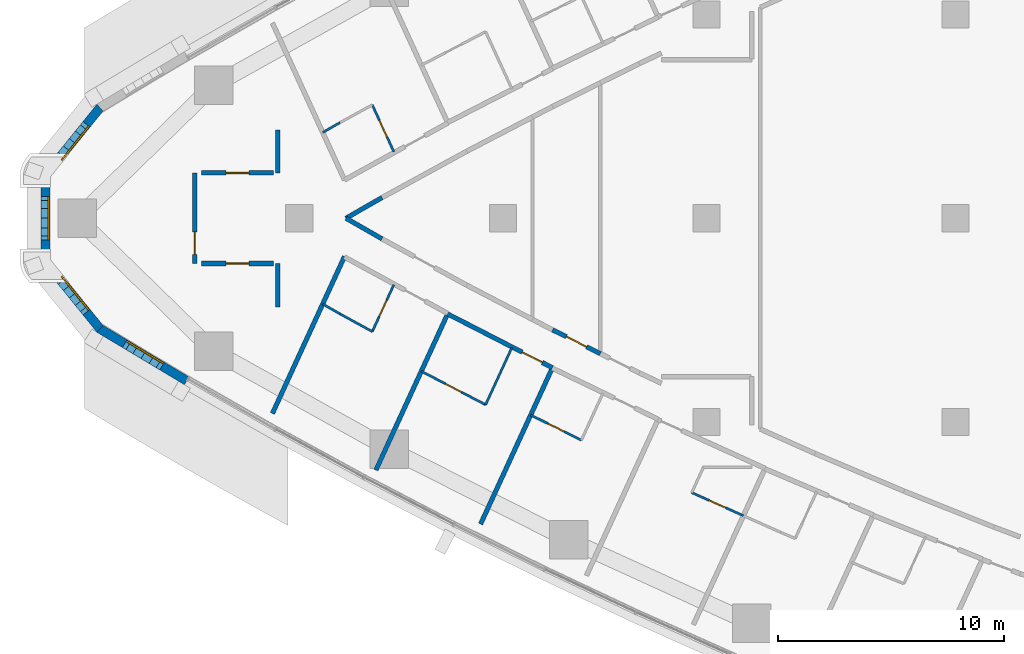
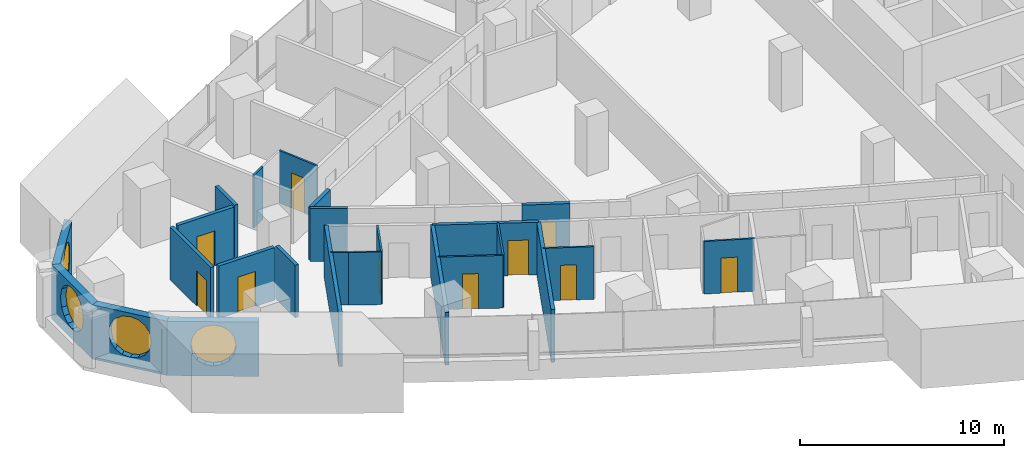
# One storey, part 8 of 17: 25 walls, 10 doors, 4 windows, 14 openings.
"""IFC4 building model written with IfcOpenShell, lengths in metres."""

from ifc_helpers import new_model, si_unit, direction, frame, frame_2d, origin, place, context, subcontext, project, spatial, polyline, rectangle, outline, extrude, material, layer, layer_set, type_object, element, fill, save


model = new_model("IFC4")

# Units and contexts
model_context = context("Model", 3, precision=1e-05, world=origin(), true_north=direction((0.0, 1.0)))
body_context = subcontext(model_context, "Body", "Model", "MODEL_VIEW")
ifc_project = project(units=[si_unit("LENGTHUNIT", "METRE"), si_unit("AREAUNIT", "SQUARE_METRE"), si_unit("VOLUMEUNIT", "CUBIC_METRE"), si_unit("PLANEANGLEUNIT", "RADIAN"), si_unit("MASSUNIT", "GRAM", prefix="KILO")], contexts=[model_context])

# Site, building, storey
site_placement = place(None, origin())
site = spatial("IfcSite", under=ifc_project, at=site_placement, CompositionType="ELEMENT")
building_placement = place(site_placement, origin())
building = spatial("IfcBuilding", under=site, at=building_placement, Name="Ostrand Prow Hotel Tower", CompositionType="ELEMENT")
storey_placement = place(building_placement, frame((0.0, 0.0, 116.85009765625)))
storey = spatial("IfcBuildingStorey", under=building, at=storey_placement, Name="L28", CompositionType="ELEMENT", Elevation=116.85009765625)

# Wall
ifc_material_1 = material(Name="Plasterboard partition")
ifc_layer_1 = layer(ifc_material_1, 0.10009765625)
ifc_layer_set_1 = layer_set([ifc_layer_1], Name="Plasterboard partition")
wall_type_1 = type_object("IfcWallType", Name="Partition 100 bathroom wall", PredefinedType="PARTITIONING", material=ifc_layer_set_1)
wall_1_placement = place(storey_placement, frame((17.0361328125, 3.7900390625, 0.0), z_axis=(0.0, 0.0, 1.0), x_axis=(0.867629162742, 0.497211862248, 0.0)))
element("IfcWall", 1, at=wall_1_placement, inside=storey, type_object=wall_type_1, Name="BATHROOM WALL", PredefinedType="PARTITIONING", context=body_context, shape_type="SweptSolid", body=[
    extrude(rectangle(XDim=0.8818359375, YDim=0.10009765625, at=frame_2d((0.44091796875, 0.0))), origin(), (0.0, 0.0, 1.0), 3.14990234375),
])

# Wall, opening, door
wall_2_placement = place(storey_placement, frame((19.2275390625, 5.00830078125, 0.0), z_axis=(0.0, 0.0, 1.0), x_axis=(0.417450047292, -0.908699872354, 0.0)))
wall_2 = element("IfcWall", 2, at=wall_2_placement, inside=storey, type_object=wall_type_1, Name="BATHROOM WALL", PredefinedType="PARTITIONING", context=body_context, shape_type="SweptSolid", body=[
    extrude(rectangle(XDim=2.28271484375, YDim=0.10009765625, at=frame_2d((1.141357421875, 0.0))), origin(), (0.0, 0.0, 1.0), 3.14990234375),
])
opening_1_placement = place(wall_2_placement, frame((0.75, 0.0, 0.0)))
opening_1 = element("IfcOpeningElement", 3, at=opening_1_placement, cuts=wall_2, Name="Opening D2", PredefinedType="OPENING", context=body_context, shape_type="SweptSolid", body=[
    extrude(rectangle(XDim=0.800048828125, YDim=2.10009765625, at=frame_2d((0.39990234375, 1.050048828125))), frame((0.0, 0.06005859375, 0.0), z_axis=(0.0, -1.0, 0.0), x_axis=(1.0, 0.0, 0.0)), (0.0, 0.0, 1.0), 0.1201171875),
])
ifc_material_2 = material(Name="Timber door leaf", Category="wood")
door_type_1 = type_object("IfcDoorType", Name="Bathroom door 800", OperationType="SINGLE_SWING_LEFT", PredefinedType="DOOR", material=ifc_material_2)
door_1_placement = place(opening_1_placement, origin())
door_1 = element("IfcDoor", 4, at=door_1_placement, inside=storey, type_object=door_type_1, Name="DOOR", OperationType="SINGLE_SWING_LEFT", OverallHeight=2.10009765625, OverallWidth=0.800048828125, PredefinedType="DOOR", context=body_context, shape_type="SweptSolid", body=[
    extrude(rectangle(XDim=0.800048828125, YDim=2.10009765625, at=frame_2d((0.39990234375, 1.050048828125))), frame((0.0, 0.02490234375, 0.0), z_axis=(0.0, -1.0, 0.0), x_axis=(1.0, 0.0, 0.0)), (0.0, 0.0, 1.0), 0.050048828125),
])
fill(opening_1, door_1)

wall_3_placement = place(storey_placement, frame((20.180419921875, -2.93408203125, 0.0), z_axis=(0.0, 0.0, 1.0), x_axis=(-0.417450047292, -0.908699872354, 0.0)))
wall_3 = element("IfcWall", 5, at=wall_3_placement, inside=storey, type_object=wall_type_1, Name="BATHROOM WALL", PredefinedType="PARTITIONING", context=body_context, shape_type="SweptSolid", body=[
    extrude(rectangle(XDim=2.28271484375, YDim=0.10009765625, at=frame_2d((1.141357421875, 0.0))), origin(), (0.0, 0.0, 1.0), 3.14990234375),
])
opening_2_placement = place(wall_3_placement, frame((0.75, 0.0, 0.0)))
opening_2 = element("IfcOpeningElement", 6, at=opening_2_placement, cuts=wall_3, Name="Opening D2", PredefinedType="OPENING", context=body_context, shape_type="SweptSolid", body=[
    extrude(rectangle(XDim=0.800048828125, YDim=2.10009765625, at=frame_2d((0.39990234375, 1.050048828125))), frame((0.0, 0.06005859375, 0.0), z_axis=(0.0, -1.0, 0.0), x_axis=(1.0, 0.0, 0.0)), (0.0, 0.0, 1.0), 0.1201171875),
])
door_2_placement = place(opening_2_placement, origin())
door_2 = element("IfcDoor", 7, at=door_2_placement, inside=storey, type_object=door_type_1, Name="DOOR", OperationType="SINGLE_SWING_LEFT", OverallHeight=2.10009765625, OverallWidth=0.800048828125, PredefinedType="DOOR", context=body_context, shape_type="SweptSolid", body=[
    extrude(rectangle(XDim=0.800048828125, YDim=2.10009765625, at=frame_2d((0.39990234375, 1.050048828125))), frame((0.0, 0.02490234375, 0.0), z_axis=(0.0, -1.0, 0.0), x_axis=(1.0, 0.0, 0.0)), (0.0, 0.0, 1.0), 0.050048828125),
])
fill(opening_2, door_2)

# Walls
wall_4_placement = place(storey_placement, frame((19.2275390625, -5.00830078125, 0.0), z_axis=(0.0, 0.0, 1.0), x_axis=(-0.877424481957, 0.479714788663, 0.0)))
element("IfcWall", 8, at=wall_4_placement, inside=storey, type_object=wall_type_1, Name="BATHROOM WALL", PredefinedType="PARTITIONING", context=body_context, shape_type="SweptSolid", body=[
    extrude(rectangle(XDim=1.62548828125, YDim=0.10009765625, at=frame_2d((0.812744140625, 0.0))), origin(), (0.0, 0.0, 1.0), 3.14990234375),
])
wall_5_placement = place(storey_placement, frame((17.80126953125, -4.228515625, 0.0), z_axis=(0.0, 0.0, 1.0), x_axis=(-0.867629162742, 0.497211862248, 0.0)))
element("IfcWall", 9, at=wall_5_placement, inside=storey, type_object=wall_type_1, Name="BATHROOM WALL", PredefinedType="PARTITIONING", context=body_context, shape_type="SweptSolid", body=[
    extrude(rectangle(XDim=0.8818359375, YDim=0.10009765625, at=frame_2d((0.44091796875, 0.0))), origin(), (0.0, 0.0, 1.0), 3.14990234375),
])
wall_6_placement = place(storey_placement, frame((25.3955078125, -5.715087890625, 0.0), z_axis=(0.0, 0.0, 1.0), x_axis=(-0.417359077977, -0.908741657475, 0.0)))
element("IfcWall", 10, at=wall_6_placement, inside=storey, type_object=wall_type_1, Name="BATHROOM WALL", PredefinedType="PARTITIONING", context=body_context, shape_type="SweptSolid", body=[
    extrude(rectangle(XDim=2.7802734375, YDim=0.10009765625, at=frame_2d((1.39013671875, 0.0))), origin(), (0.0, 0.0, 1.0), 3.14990234375),
])

# Wall, opening, door
wall_7_placement = place(storey_placement, frame((24.23486328125, -8.24169921875, 0.0), z_axis=(0.0, 0.0, 1.0), x_axis=(-0.886897171809, 0.461966889114, 0.0)))
wall_7 = element("IfcWall", 11, at=wall_7_placement, inside=storey, type_object=wall_type_1, Name="BATHROOM WALL", PredefinedType="PARTITIONING", context=body_context, shape_type="SweptSolid", body=[
    extrude(rectangle(XDim=3.20361328125, YDim=0.10009765625, at=frame_2d((1.601806640625, 0.0))), origin(), (0.0, 0.0, 1.0), 3.14990234375),
])
opening_3_placement = place(wall_7_placement, frame((1.199951171875, 0.0, 0.0)))
opening_3 = element("IfcOpeningElement", 12, at=opening_3_placement, cuts=wall_7, Name="Opening D2", PredefinedType="OPENING", context=body_context, shape_type="SweptSolid", body=[
    extrude(rectangle(XDim=0.800048828125, YDim=2.10009765625, at=frame_2d((0.39990234375, 1.050048828125))), frame((0.0, 0.06005859375, 0.0), z_axis=(0.0, -1.0, 0.0), x_axis=(1.0, 0.0, 0.0)), (0.0, 0.0, 1.0), 0.1201171875),
])
door_3_placement = place(opening_3_placement, origin())
door_3 = element("IfcDoor", 13, at=door_3_placement, inside=storey, type_object=door_type_1, Name="DOOR", OperationType="SINGLE_SWING_LEFT", OverallHeight=2.10009765625, OverallWidth=0.800048828125, PredefinedType="DOOR", context=body_context, shape_type="SweptSolid", body=[
    extrude(rectangle(XDim=0.800048828125, YDim=2.10009765625, at=frame_2d((0.39990234375, 1.050048828125))), frame((0.0, 0.02490234375, 0.0), z_axis=(0.0, -1.0, 0.0), x_axis=(1.0, 0.0, 0.0)), (0.0, 0.0, 1.0), 0.050048828125),
])
fill(opening_3, door_3)

wall_8_placement = place(storey_placement, frame((28.4677734375, -9.807373046875, 0.0), z_axis=(0.0, 0.0, 1.0), x_axis=(-0.895944857815, 0.444165297784, 0.0)))
wall_8 = element("IfcWall", 14, at=wall_8_placement, inside=storey, type_object=wall_type_1, Name="BATHROOM WALL", PredefinedType="PARTITIONING", context=body_context, shape_type="SweptSolid", body=[
    extrude(rectangle(XDim=2.5009765625, YDim=0.10009765625, at=frame_2d((1.25048828125, 0.0))), origin(), (0.0, 0.0, 1.0), 3.14990234375),
])
opening_4_placement = place(wall_8_placement, frame((0.85009765625, 0.0, 0.0)))
opening_4 = element("IfcOpeningElement", 15, at=opening_4_placement, cuts=wall_8, Name="Opening D2", PredefinedType="OPENING", context=body_context, shape_type="SweptSolid", body=[
    extrude(rectangle(XDim=0.800048828125, YDim=2.10009765625, at=frame_2d((0.39990234375, 1.050048828125))), frame((0.0, 0.06005859375, 0.0), z_axis=(0.0, -1.0, 0.0), x_axis=(1.0, 0.0, 0.0)), (0.0, 0.0, 1.0), 0.1201171875),
])
door_4_placement = place(opening_4_placement, origin())
door_4 = element("IfcDoor", 16, at=door_4_placement, inside=storey, type_object=door_type_1, Name="DOOR", OperationType="SINGLE_SWING_LEFT", OverallHeight=2.10009765625, OverallWidth=0.800048828125, PredefinedType="DOOR", context=body_context, shape_type="SweptSolid", body=[
    extrude(rectangle(XDim=0.800048828125, YDim=2.10009765625, at=frame_2d((0.39990234375, 1.050048828125))), frame((0.0, 0.02490234375, 0.0), z_axis=(0.0, -1.0, 0.0), x_axis=(1.0, 0.0, 0.0)), (0.0, 0.0, 1.0), 0.050048828125),
])
fill(opening_4, door_4)

wall_9_placement = place(storey_placement, frame((35.6279296875, -13.1455078125, 0.0), z_axis=(0.0, 0.0, 1.0), x_axis=(-0.913052819539, 0.407841327885, 0.0)))
wall_9 = element("IfcWall", 17, at=wall_9_placement, inside=storey, type_object=wall_type_1, Name="BATHROOM WALL", PredefinedType="PARTITIONING", context=body_context, shape_type="SweptSolid", body=[
    extrude(rectangle(XDim=2.499755859375, YDim=0.10009765625, at=frame_2d((1.25, 0.0))), origin(), (0.0, 0.0, 1.0), 3.14990234375),
])
opening_5_placement = place(wall_9_placement, frame((0.85009765625, 0.0, 0.0)))
opening_5 = element("IfcOpeningElement", 18, at=opening_5_placement, cuts=wall_9, Name="Opening D2", PredefinedType="OPENING", context=body_context, shape_type="SweptSolid", body=[
    extrude(rectangle(XDim=0.800048828125, YDim=2.10009765625, at=frame_2d((0.39990234375, 1.050048828125))), frame((0.0, 0.06005859375, 0.0), z_axis=(0.0, -1.0, 0.0), x_axis=(1.0, 0.0, 0.0)), (0.0, 0.0, 1.0), 0.1201171875),
])
door_5_placement = place(opening_5_placement, origin())
door_5 = element("IfcDoor", 19, at=door_5_placement, inside=storey, type_object=door_type_1, Name="DOOR", OperationType="SINGLE_SWING_LEFT", OverallHeight=2.10009765625, OverallWidth=0.800048828125, PredefinedType="DOOR", context=body_context, shape_type="SweptSolid", body=[
    extrude(rectangle(XDim=0.800048828125, YDim=2.10009765625, at=frame_2d((0.39990234375, 1.050048828125))), frame((0.0, 0.02490234375, 0.0), z_axis=(0.0, -1.0, 0.0), x_axis=(1.0, 0.0, 0.0)), (0.0, 0.0, 1.0), 0.050048828125),
])
fill(opening_5, door_5)

ifc_material_3 = material(Name="Plasterboard partition")
ifc_layer_2 = layer(ifc_material_3, 0.199951171875)
ifc_layer_set_2 = layer_set([ifc_layer_2], Name="Plasterboard partition")
wall_type_2 = type_object("IfcWallType", Name="Partition 200 corridor wall", PredefinedType="PARTITIONING", material=ifc_layer_set_2)
wall_10_placement = place(storey_placement, frame((11.685302734375, 2.0, 0.0), z_axis=(0.0, 0.0, 1.0), x_axis=(1.0, 0.0, 0.0)))
wall_10 = element("IfcWall", 20, at=wall_10_placement, inside=storey, type_object=wall_type_2, Name="CORRIDOR WALL", PredefinedType="PARTITIONING", context=body_context, shape_type="SweptSolid", body=[
    extrude(rectangle(XDim=3.16845703125, YDim=0.199951171875, at=frame_2d((1.584228515625, 0.0))), origin(), (0.0, 0.0, 1.0), 3.14990234375),
])
opening_6_placement = place(wall_10_placement, frame((1.084228515625, 0.0, 0.0)))
opening_6 = element("IfcOpeningElement", 21, at=opening_6_placement, cuts=wall_10, Name="Opening D1", PredefinedType="OPENING", context=body_context, shape_type="SweptSolid", body=[
    extrude(rectangle(XDim=1.0, YDim=2.10009765625, at=frame_2d((0.5, 1.050048828125))), frame((0.0, 0.10986328125, 0.0), z_axis=(0.0, -1.0, 0.0), x_axis=(1.0, 0.0, 0.0)), (0.0, 0.0, 1.0), 0.219970703125),
])
ifc_material_4 = material(Name="Timber door leaf", Category="wood")
door_type_2 = type_object("IfcDoorType", Name="Guest room door 1000", OperationType="SINGLE_SWING_LEFT", PredefinedType="DOOR", material=ifc_material_4)
door_6_placement = place(opening_6_placement, origin())
door_6 = element("IfcDoor", 22, at=door_6_placement, inside=storey, type_object=door_type_2, Name="DOOR", OperationType="SINGLE_SWING_LEFT", OverallHeight=2.10009765625, OverallWidth=1.0, PredefinedType="DOOR", context=body_context, shape_type="SweptSolid", body=[
    extrude(rectangle(XDim=1.0, YDim=2.10009765625, at=frame_2d((0.5, 1.050048828125))), frame((0.0, 0.02490234375, 0.0), z_axis=(0.0, -1.0, 0.0), x_axis=(1.0, 0.0, 0.0)), (0.0, 0.0, 1.0), 0.050048828125),
])
fill(opening_6, door_6)

wall_11_placement = place(storey_placement, frame((11.685302734375, -2.0, 0.0), z_axis=(0.0, 0.0, 1.0), x_axis=(1.0, 0.0, 0.0)))
wall_11 = element("IfcWall", 23, at=wall_11_placement, inside=storey, type_object=wall_type_2, Name="CORRIDOR WALL", PredefinedType="PARTITIONING", context=body_context, shape_type="SweptSolid", body=[
    extrude(rectangle(XDim=3.16845703125, YDim=0.199951171875, at=frame_2d((1.584228515625, 0.0))), origin(), (0.0, 0.0, 1.0), 3.14990234375),
])
opening_7_placement = place(wall_11_placement, frame((1.084228515625, 0.0, 0.0)))
opening_7 = element("IfcOpeningElement", 24, at=opening_7_placement, cuts=wall_11, Name="Opening D1R", PredefinedType="OPENING", context=body_context, shape_type="SweptSolid", body=[
    extrude(rectangle(XDim=1.0, YDim=2.10009765625, at=frame_2d((0.5, 1.050048828125))), frame((0.0, 0.10986328125, 0.0), z_axis=(0.0, -1.0, 0.0), x_axis=(1.0, 0.0, 0.0)), (0.0, 0.0, 1.0), 0.219970703125),
])
ifc_material_5 = material(Name="Timber door leaf", Category="wood")
door_type_3 = type_object("IfcDoorType", Name="Guest room door 1000 right", OperationType="SINGLE_SWING_RIGHT", PredefinedType="DOOR", material=ifc_material_5)
door_7_placement = place(opening_7_placement, origin())
door_7 = element("IfcDoor", 25, at=door_7_placement, inside=storey, type_object=door_type_3, Name="DOOR", OperationType="SINGLE_SWING_RIGHT", OverallHeight=2.10009765625, OverallWidth=1.0, PredefinedType="DOOR", context=body_context, shape_type="SweptSolid", body=[
    extrude(rectangle(XDim=1.0, YDim=2.10009765625, at=frame_2d((0.5, 1.050048828125))), frame((0.0, 0.02490234375, 0.0), z_axis=(0.0, -1.0, 0.0), x_axis=(1.0, 0.0, 0.0)), (0.0, 0.0, 1.0), 0.050048828125),
])
fill(opening_7, door_7)

wall_12_placement = place(storey_placement, frame((22.556640625, -4.2294921875, 0.0), z_axis=(0.0, 0.0, 1.0), x_axis=(0.889706581948, -0.456532800617, 0.0)))
wall_12 = element("IfcWall", 26, at=wall_12_placement, inside=storey, type_object=wall_type_2, Name="CORRIDOR WALL", PredefinedType="PARTITIONING", context=body_context, shape_type="SweptSolid", body=[
    extrude(rectangle(XDim=5.204833984375, YDim=0.199951171875, at=frame_2d((2.6025390625, 0.0))), origin(), (0.0, 0.0, 1.0), 3.14990234375),
])
opening_8_placement = place(wall_12_placement, frame((3.699951171875, 0.0, 0.0)))
opening_8 = element("IfcOpeningElement", 27, at=opening_8_placement, cuts=wall_12, Name="Opening D1", PredefinedType="OPENING", context=body_context, shape_type="SweptSolid", body=[
    extrude(rectangle(XDim=1.0, YDim=2.10009765625, at=frame_2d((0.5, 1.050048828125))), frame((0.0, 0.10986328125, 0.0), z_axis=(0.0, -1.0, 0.0), x_axis=(1.0, 0.0, 0.0)), (0.0, 0.0, 1.0), 0.219970703125),
])
door_8_placement = place(opening_8_placement, origin())
door_8 = element("IfcDoor", 28, at=door_8_placement, inside=storey, type_object=door_type_2, Name="DOOR", OperationType="SINGLE_SWING_LEFT", OverallHeight=2.10009765625, OverallWidth=1.0, PredefinedType="DOOR", context=body_context, shape_type="SweptSolid", body=[
    extrude(rectangle(XDim=1.0, YDim=2.10009765625, at=frame_2d((0.5, 1.050048828125))), frame((0.0, 0.02490234375, 0.0), z_axis=(0.0, -1.0, 0.0), x_axis=(1.0, 0.0, 0.0)), (0.0, 0.0, 1.0), 0.050048828125),
])
fill(opening_8, door_8)

# Walls
for number, where, z_axis, x_axis, name in (
    (29, (19.6572265625, -0.912353515625, 0.0), (0.0, 0.0, 1.0), (-0.867694156962, 0.49709843087, 0.0), "CORRIDOR WALL"),
    (30, (18.064697265625, 0.0, 0.0), (0.0, 0.0, 1.0), (0.867694156962, 0.49709843087, 0.0), "CORRIDOR WALL"),
):
    element("IfcWall", number, at=place(storey_placement, frame(where, z_axis=z_axis, x_axis=x_axis)), inside=storey, type_object=wall_type_2, Name=name, PredefinedType="PARTITIONING", context=body_context, shape_type="SweptSolid", body=[
        extrude(rectangle(XDim=1.83544921875, YDim=0.199951171875, at=frame_2d((0.917724609375, 0.0))), origin(), (0.0, 0.0, 1.0), 3.14990234375),
    ])

# Wall, opening, door
wall_13_placement = place(storey_placement, frame((29.30810546875, -5.982666015625, 0.0), z_axis=(0.0, 0.0, 1.0), x_axis=(-0.895954899574, 0.444145041546, 0.0)))
wall_13 = element("IfcWall", 31, at=wall_13_placement, inside=storey, type_object=wall_type_2, Name="CORRIDOR WALL", PredefinedType="PARTITIONING", context=body_context, shape_type="SweptSolid", body=[
    extrude(rectangle(XDim=2.357177734375, YDim=0.199951171875, at=frame_2d((1.1787109375, 0.0))), origin(), (0.0, 0.0, 1.0), 3.14990234375),
])
opening_9_placement = place(wall_13_placement, frame((0.678466796875, 0.0, 0.0)))
opening_9 = element("IfcOpeningElement", 32, at=opening_9_placement, cuts=wall_13, Name="Opening D1", PredefinedType="OPENING", context=body_context, shape_type="SweptSolid", body=[
    extrude(rectangle(XDim=1.0, YDim=2.10009765625, at=frame_2d((0.5, 1.050048828125))), frame((0.0, 0.10986328125, 0.0), z_axis=(0.0, -1.0, 0.0), x_axis=(1.0, 0.0, 0.0)), (0.0, 0.0, 1.0), 0.219970703125),
])
door_9_placement = place(opening_9_placement, origin())
door_9 = element("IfcDoor", 33, at=door_9_placement, inside=storey, type_object=door_type_2, Name="DOOR", OperationType="SINGLE_SWING_LEFT", OverallHeight=2.10009765625, OverallWidth=1.0, PredefinedType="DOOR", context=body_context, shape_type="SweptSolid", body=[
    extrude(rectangle(XDim=1.0, YDim=2.10009765625, at=frame_2d((0.5, 1.050048828125))), frame((0.0, 0.02490234375, 0.0), z_axis=(0.0, -1.0, 0.0), x_axis=(1.0, 0.0, 0.0)), (0.0, 0.0, 1.0), 0.050048828125),
])
fill(opening_9, door_9)

# Walls
wall_14_placement = place(storey_placement, frame((15.0537109375, 3.90869140625, 0.0), z_axis=(0.0, 0.0, 1.0), x_axis=(0.0, -1.0, 0.0)))
element("IfcWall", 34, at=wall_14_placement, inside=storey, type_object=wall_type_2, Name="CORRIDOR WALL", PredefinedType="PARTITIONING", context=body_context, shape_type="SweptSolid", body=[
    extrude(rectangle(XDim=1.90380859375, YDim=0.199951171875, at=frame_2d((0.951904296875, 0.0))), origin(), (0.0, 0.0, 1.0), 3.14990234375),
])
wall_15_placement = place(storey_placement, frame((15.0537109375, -2.0048828125, 0.0), z_axis=(0.0, 0.0, 1.0), x_axis=(0.0, -1.0, 0.0)))
element("IfcWall", 35, at=wall_15_placement, inside=storey, type_object=wall_type_2, Name="CORRIDOR WALL", PredefinedType="PARTITIONING", context=body_context, shape_type="SweptSolid", body=[
    extrude(rectangle(XDim=1.907958984375, YDim=0.199951171875, at=frame_2d((0.9541015625, 0.0))), origin(), (0.0, 0.0, 1.0), 3.14990234375),
])
ifc_material_6 = material(Name="Plasterboard partition")
ifc_layer_3 = layer(ifc_material_6, 0.199951171875)
ifc_layer_set_3 = layer_set([ifc_layer_3], Name="Plasterboard partition")
wall_type_3 = type_object("IfcWallType", Name="Partition 200 key partition", PredefinedType="PARTITIONING", material=ifc_layer_set_3)
wall_16_placement = place(storey_placement, frame((14.814697265625, -8.625732421875, 0.0), z_axis=(0.0, 0.0, 1.0), x_axis=(0.417432341259, 0.908708006166, 0.0)))
element("IfcWall", 36, at=wall_16_placement, inside=storey, type_object=wall_type_3, Name="KEY PARTITION", PredefinedType="PARTITIONING", context=body_context, shape_type="SweptSolid", body=[
    extrude(rectangle(XDim=7.630615234375, YDim=0.199951171875, at=frame_2d((3.8154296875, 0.0))), origin(), (0.0, 0.0, 1.0), 3.14990234375),
])
wall_17_placement = place(storey_placement, frame((19.38720703125, -11.12890625, 0.0), z_axis=(0.0, 0.0, 1.0), x_axis=(0.41742645501, 0.908710710104, 0.0)))
element("IfcWall", 37, at=wall_17_placement, inside=storey, type_object=wall_type_3, Name="KEY PARTITION", PredefinedType="PARTITIONING", context=body_context, shape_type="SweptSolid", body=[
    extrude(rectangle(XDim=7.61279296875, YDim=0.199951171875, at=frame_2d((3.806396484375, 0.0))), origin(), (0.0, 0.0, 1.0), 3.14990234375),
])
wall_18_placement = place(storey_placement, frame((24.013671875, -13.514892578125, 0.0), z_axis=(0.0, 0.0, 1.0), x_axis=(0.417428513692, 0.908709764422, 0.0)))
element("IfcWall", 38, at=wall_18_placement, inside=storey, type_object=wall_type_3, Name="KEY PARTITION", PredefinedType="PARTITIONING", context=body_context, shape_type="SweptSolid", body=[
    extrude(rectangle(XDim=7.603271484375, YDim=0.199951171875, at=frame_2d((3.8017578125, 0.0))), origin(), (0.0, 0.0, 1.0), 3.14990234375),
])

# Wall, opening, door
ifc_material_7 = material(Name="Plasterboard partition")
ifc_layer_4 = layer(ifc_material_7, 0.199951171875)
ifc_layer_set_4 = layer_set([ifc_layer_4], Name="Plasterboard partition")
wall_type_4 = type_object("IfcWallType", Name="Partition 200 lounge wall", PredefinedType="PARTITIONING", material=ifc_layer_set_4)
wall_19_placement = place(storey_placement, frame((11.385498046875, -2.0, 0.0), z_axis=(0.0, 0.0, 1.0), x_axis=(0.0, 1.0, 0.0)))
wall_19 = element("IfcWall", 39, at=wall_19_placement, inside=storey, type_object=wall_type_4, Name="LOUNGE WALL", PredefinedType="PARTITIONING", context=body_context, shape_type="SweptSolid", body=[
    extrude(rectangle(XDim=4.0, YDim=0.199951171875, at=frame_2d((2.0, 0.0))), origin(), (0.0, 0.0, 1.0), 3.14990234375),
])
opening_10_placement = place(wall_19_placement, frame((0.39990234375, 0.0, 0.0)))
opening_10 = element("IfcOpeningElement", 40, at=opening_10_placement, cuts=wall_19, Name="Opening D1", PredefinedType="OPENING", context=body_context, shape_type="SweptSolid", body=[
    extrude(rectangle(XDim=1.0, YDim=2.10009765625, at=frame_2d((0.5, 1.050048828125))), frame((0.0, 0.10986328125, 0.0), z_axis=(0.0, -1.0, 0.0), x_axis=(1.0, 0.0, 0.0)), (0.0, 0.0, 1.0), 0.219970703125),
])
door_10_placement = place(opening_10_placement, origin())
door_10 = element("IfcDoor", 41, at=door_10_placement, inside=storey, type_object=door_type_2, Name="DOOR", OperationType="SINGLE_SWING_LEFT", OverallHeight=2.10009765625, OverallWidth=1.0, PredefinedType="DOOR", context=body_context, shape_type="SweptSolid", body=[
    extrude(rectangle(XDim=1.0, YDim=2.10009765625, at=frame_2d((0.5, 1.050048828125))), frame((0.0, 0.02490234375, 0.0), z_axis=(0.0, -1.0, 0.0), x_axis=(1.0, 0.0, 0.0)), (0.0, 0.0, 1.0), 0.050048828125),
])
fill(opening_10, door_10)

# Wall, opening, window
ifc_material_8 = material(Name="Precast concrete C40/50", Category="concrete")
ifc_layer_5 = layer(ifc_material_8, 0.39990234375)
ifc_layer_set_5 = layer_set([ifc_layer_5], Name="Precast concrete C40/50")
wall_type_5 = type_object("IfcWallType", Name="Stone-faced precast wall 400 mm", PredefinedType="NOTDEFINED", material=ifc_layer_set_5)
wall_20_placement = place(storey_placement, frame((7.1943359375, 4.8876953125, 0.0), z_axis=(0.0, 0.0, 1.0), x_axis=(-0.62903486133, -0.777377092042, 0.0)))
wall_20 = element("IfcWall", 42, at=wall_20_placement, inside=storey, type_object=wall_type_5, Name="Stone-faced wall prow 2", PredefinedType="NOTDEFINED", context=body_context, shape_type="SweptSolid", body=[
    extrude(outline(polyline([(-0.035400390625, -0.199951171875), (3.897216796875, -0.199951171875), (3.755615234375, 0.199951171875), (0.035400390625, 0.199951171875), (-0.035400390625, -0.199951171875)])), origin(), (0.0, 0.0, 1.0), 3.25),
])
opening_11_placement = place(wall_20_placement, frame((0.813232421875, 0.0, 0.60009765625)))
opening_11 = element("IfcOpeningElement", 43, at=opening_11_placement, cuts=wall_20, Name="Opening WP1", PredefinedType="OPENING", context=body_context, shape_type="SweptSolid", body=[
    extrude(outline(polyline([(0.0, 1.35009765625), (0.083740234375, 1.77099609375), (0.322265625, 2.127685546875), (0.678955078125, 2.3662109375), (1.10009765625, 2.449951171875), (1.52099609375, 2.3662109375), (1.877685546875, 2.127685546875), (2.1162109375, 1.77099609375), (2.199951171875, 1.35009765625), (2.199951171875, 1.10009765625), (2.1162109375, 0.678955078125), (1.877685546875, 0.322265625), (1.52099609375, 0.083740234375), (1.10009765625, 0.0), (0.678955078125, 0.083740234375), (0.322265625, 0.322265625), (0.083740234375, 0.678955078125), (0.0, 1.099853515625), (0.0, 1.35009765625)])), frame((0.0, 0.2099609375, 0.0), z_axis=(0.0, -1.0, 0.0), x_axis=(1.0, 0.0, 0.0)), (0.0, 0.0, 1.0), 0.419921875),
])
ifc_material_9 = material(Name="Insulated glass in bronze frame", Category="glass")
window_type = type_object("IfcWindowType", Name="Round-ended prow window 2200x2450", PartitioningType="SINGLE_PANEL", PredefinedType="WINDOW", material=ifc_material_9)
window_1_placement = place(opening_11_placement, origin())
window_1 = element("IfcWindow", 44, at=window_1_placement, inside=storey, type_object=window_type, Name="Window prow 2.1", OverallHeight=2.449951171875, OverallWidth=2.199951171875, PartitioningType="SINGLE_PANEL", PredefinedType="WINDOW", context=body_context, shape_type="SweptSolid", body=[
    extrude(outline(polyline([(0.0, 1.35009765625), (0.083740234375, 1.77099609375), (0.322265625, 2.127685546875), (0.678955078125, 2.3662109375), (1.10009765625, 2.449951171875), (1.52099609375, 2.3662109375), (1.877685546875, 2.127685546875), (2.1162109375, 1.77099609375), (2.199951171875, 1.35009765625), (2.199951171875, 1.10009765625), (2.1162109375, 0.678955078125), (1.877685546875, 0.322265625), (1.52099609375, 0.083740234375), (1.10009765625, 0.0), (0.678955078125, 0.083740234375), (0.322265625, 0.322265625), (0.083740234375, 0.678955078125), (0.0, 1.099853515625), (0.0, 1.35009765625)])), frame((0.0, 0.169921875, 0.0), z_axis=(0.0, -1.0, 0.0), x_axis=(1.0, 0.0, 0.0)), (0.0, 0.0, 1.0), 0.06005859375),
])
fill(opening_11, window_1)

wall_21_placement = place(storey_placement, frame((4.787353515625, 1.9130859375, 0.0), z_axis=(0.0, 0.0, 1.0), x_axis=(0.0, -1.0, 0.0)))
wall_21 = element("IfcWall", 45, at=wall_21_placement, inside=storey, type_object=wall_type_5, Name="Stone-faced wall prow 3", PredefinedType="NOTDEFINED", context=body_context, shape_type="SweptSolid", body=[
    extrude(outline(polyline([(-0.07080078125, -0.199951171875), (3.89697265625, -0.199951171875), (3.75537109375, 0.199951171875), (0.07080078125, 0.199951171875), (-0.07080078125, -0.199951171875)])), origin(), (0.0, 0.0, 1.0), 3.25),
])
opening_12_placement = place(wall_21_placement, frame((0.813232421875, 0.0, 0.60009765625)))
opening_12 = element("IfcOpeningElement", 46, at=opening_12_placement, cuts=wall_21, Name="Opening WP1", PredefinedType="OPENING", context=body_context, shape_type="SweptSolid", body=[
    extrude(outline(polyline([(0.0, 1.35009765625), (0.083740234375, 1.77099609375), (0.322265625, 2.127685546875), (0.678955078125, 2.3662109375), (1.10009765625, 2.449951171875), (1.52099609375, 2.3662109375), (1.877685546875, 2.127685546875), (2.1162109375, 1.77099609375), (2.199951171875, 1.35009765625), (2.199951171875, 1.10009765625), (2.1162109375, 0.678955078125), (1.877685546875, 0.322265625), (1.52099609375, 0.083740234375), (1.10009765625, 0.0), (0.678955078125, 0.083740234375), (0.322265625, 0.322265625), (0.083740234375, 0.678955078125), (0.0, 1.099853515625), (0.0, 1.35009765625)])), frame((0.0, 0.2099609375, 0.0), z_axis=(0.0, -1.0, 0.0), x_axis=(1.0, 0.0, 0.0)), (0.0, 0.0, 1.0), 0.419921875),
])
window_2_placement = place(opening_12_placement, origin())
window_2 = element("IfcWindow", 47, at=window_2_placement, inside=storey, type_object=window_type, Name="Window prow 3.1", OverallHeight=2.449951171875, OverallWidth=2.199951171875, PartitioningType="SINGLE_PANEL", PredefinedType="WINDOW", context=body_context, shape_type="SweptSolid", body=[
    extrude(outline(polyline([(0.0, 1.35009765625), (0.083740234375, 1.77099609375), (0.322265625, 2.127685546875), (0.678955078125, 2.3662109375), (1.10009765625, 2.449951171875), (1.52099609375, 2.3662109375), (1.877685546875, 2.127685546875), (2.1162109375, 1.77099609375), (2.199951171875, 1.35009765625), (2.199951171875, 1.10009765625), (2.1162109375, 0.678955078125), (1.877685546875, 0.322265625), (1.52099609375, 0.083740234375), (1.10009765625, 0.0), (0.678955078125, 0.083740234375), (0.322265625, 0.322265625), (0.083740234375, 0.678955078125), (0.0, 1.099853515625), (0.0, 1.35009765625)])), frame((0.0, 0.169921875, 0.0), z_axis=(0.0, -1.0, 0.0), x_axis=(1.0, 0.0, 0.0)), (0.0, 0.0, 1.0), 0.06005859375),
])
fill(opening_12, window_2)

wall_22_placement = place(storey_placement, frame((4.787353515625, -1.9130859375, 0.0), z_axis=(0.0, 0.0, 1.0), x_axis=(0.62903486133, -0.777377092042, 0.0)))
wall_22 = element("IfcWall", 48, at=wall_22_placement, inside=storey, type_object=wall_type_5, Name="Stone-faced wall prow 4", PredefinedType="NOTDEFINED", context=body_context, shape_type="SweptSolid", body=[
    extrude(outline(polyline([(-0.07080078125, -0.199951171875), (3.86181640625, -0.199951171875), (3.791015625, 0.199951171875), (0.07080078125, 0.199951171875), (-0.07080078125, -0.199951171875)])), origin(), (0.0, 0.0, 1.0), 3.25),
])
opening_13_placement = place(wall_22_placement, frame((0.813232421875, 0.0, 0.60009765625)))
opening_13 = element("IfcOpeningElement", 49, at=opening_13_placement, cuts=wall_22, Name="Opening WP1", PredefinedType="OPENING", context=body_context, shape_type="SweptSolid", body=[
    extrude(outline(polyline([(0.0, 1.35009765625), (0.083740234375, 1.77099609375), (0.322265625, 2.127685546875), (0.678955078125, 2.3662109375), (1.10009765625, 2.449951171875), (1.52099609375, 2.3662109375), (1.877685546875, 2.127685546875), (2.1162109375, 1.77099609375), (2.199951171875, 1.35009765625), (2.199951171875, 1.10009765625), (2.1162109375, 0.678955078125), (1.877685546875, 0.322265625), (1.52099609375, 0.083740234375), (1.10009765625, 0.0), (0.678955078125, 0.083740234375), (0.322265625, 0.322265625), (0.083740234375, 0.678955078125), (0.0, 1.099853515625), (0.0, 1.35009765625)])), frame((0.0, 0.2099609375, 0.0), z_axis=(0.0, -1.0, 0.0), x_axis=(1.0, 0.0, 0.0)), (0.0, 0.0, 1.0), 0.419921875),
])
window_3_placement = place(opening_13_placement, origin())
window_3 = element("IfcWindow", 50, at=window_3_placement, inside=storey, type_object=window_type, Name="Window prow 4.1", OverallHeight=2.449951171875, OverallWidth=2.199951171875, PartitioningType="SINGLE_PANEL", PredefinedType="WINDOW", context=body_context, shape_type="SweptSolid", body=[
    extrude(outline(polyline([(0.0, 1.35009765625), (0.083740234375, 1.77099609375), (0.322265625, 2.127685546875), (0.678955078125, 2.3662109375), (1.10009765625, 2.449951171875), (1.52099609375, 2.3662109375), (1.877685546875, 2.127685546875), (2.1162109375, 1.77099609375), (2.199951171875, 1.35009765625), (2.199951171875, 1.10009765625), (2.1162109375, 0.678955078125), (1.877685546875, 0.322265625), (1.52099609375, 0.083740234375), (1.10009765625, 0.0), (0.678955078125, 0.083740234375), (0.322265625, 0.322265625), (0.083740234375, 0.678955078125), (0.0, 1.099853515625), (0.0, 1.35009765625)])), frame((0.0, 0.169921875, 0.0), z_axis=(0.0, -1.0, 0.0), x_axis=(1.0, 0.0, 0.0)), (0.0, 0.0, 1.0), 0.06005859375),
])
fill(opening_13, window_3)

wall_23_placement = place(storey_placement, frame((7.1943359375, -4.8876953125, 0.0), z_axis=(0.0, 0.0, 1.0), x_axis=(0.857550776474, -0.514399325202, 0.0)))
wall_23 = element("IfcWall", 51, at=wall_23_placement, inside=storey, type_object=wall_type_5, Name="Stone-faced wall prow 5", PredefinedType="NOTDEFINED", context=body_context, shape_type="SweptSolid", body=[
    extrude(outline(polyline([(-0.035400390625, -0.199951171875), (4.468017578125, -0.199951171875), (4.468017578125, 0.199951171875), (0.035400390625, 0.199951171875), (-0.035400390625, -0.199951171875)])), origin(), (0.0, 0.0, 1.0), 3.25),
])
opening_14_placement = place(wall_23_placement, frame((1.134033203125, 0.0, 0.60009765625)))
opening_14 = element("IfcOpeningElement", 52, at=opening_14_placement, cuts=wall_23, Name="Opening WP1", PredefinedType="OPENING", context=body_context, shape_type="SweptSolid", body=[
    extrude(outline(polyline([(0.0, 1.35009765625), (0.083740234375, 1.77099609375), (0.322265625, 2.127685546875), (0.678955078125, 2.3662109375), (1.10009765625, 2.449951171875), (1.52099609375, 2.3662109375), (1.877685546875, 2.127685546875), (2.1162109375, 1.77099609375), (2.199951171875, 1.35009765625), (2.199951171875, 1.10009765625), (2.1162109375, 0.678955078125), (1.877685546875, 0.322265625), (1.52099609375, 0.083740234375), (1.10009765625, 0.0), (0.678955078125, 0.083740234375), (0.322265625, 0.322265625), (0.083740234375, 0.678955078125), (0.0, 1.099853515625), (0.0, 1.35009765625)])), frame((0.0, 0.2099609375, 0.0), z_axis=(0.0, -1.0, 0.0), x_axis=(1.0, 0.0, 0.0)), (0.0, 0.0, 1.0), 0.419921875),
])
window_4_placement = place(opening_14_placement, origin())
window_4 = element("IfcWindow", 53, at=window_4_placement, inside=storey, type_object=window_type, Name="Window prow 5.1", OverallHeight=2.449951171875, OverallWidth=2.199951171875, PartitioningType="SINGLE_PANEL", PredefinedType="WINDOW", context=body_context, shape_type="SweptSolid", body=[
    extrude(outline(polyline([(0.0, 1.35009765625), (0.083740234375, 1.77099609375), (0.322265625, 2.127685546875), (0.678955078125, 2.3662109375), (1.10009765625, 2.449951171875), (1.52099609375, 2.3662109375), (1.877685546875, 2.127685546875), (2.1162109375, 1.77099609375), (2.199951171875, 1.35009765625), (2.199951171875, 1.10009765625), (2.1162109375, 0.678955078125), (1.877685546875, 0.322265625), (1.52099609375, 0.083740234375), (1.10009765625, 0.0), (0.678955078125, 0.083740234375), (0.322265625, 0.322265625), (0.083740234375, 0.678955078125), (0.0, 1.099853515625), (0.0, 1.35009765625)])), frame((0.0, 0.169921875, 0.0), z_axis=(0.0, -1.0, 0.0), x_axis=(1.0, 0.0, 0.0)), (0.0, 0.0, 1.0), 0.06005859375),
])
fill(opening_14, window_4)

save(model, "model.ifc")
